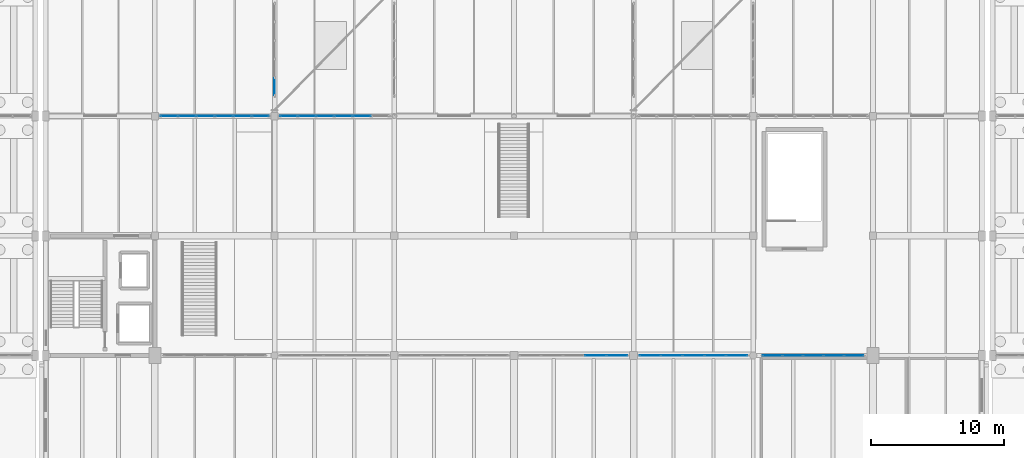
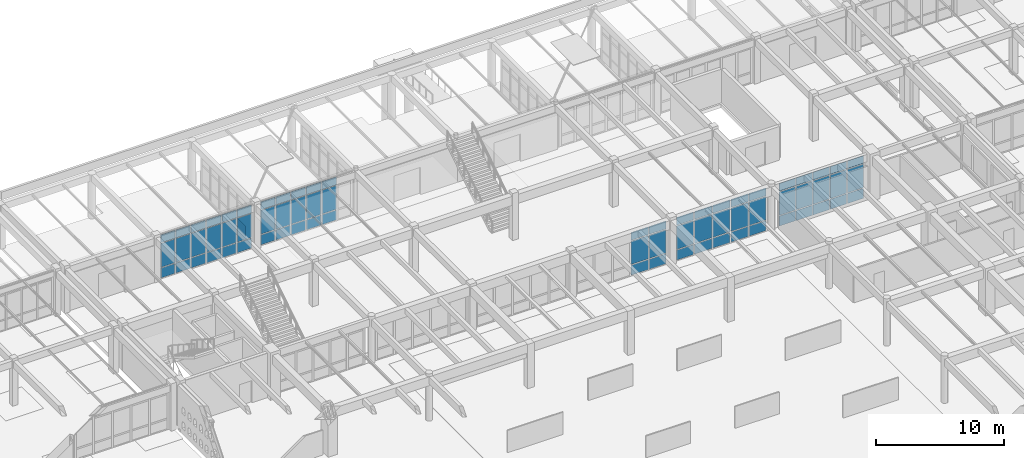
# One storey, part 148 of 186: 70 plates, 6 elements without a shape of their own.
"""IFC4 building model written with IfcOpenShell, lengths in metres."""

from ifc_helpers import new_model, si_unit, direction, frame, origin, origin_2d, place, context, subcontext, project, spatial, rectangle, extrude, material, layer, layer_set, type_object, element, aggregate, save


model = new_model("IFC4")

# Units and contexts
model_context = context("Model", 3, precision=1e-05, world=origin(), true_north=direction((0.0, 1.0)))
body_context = subcontext(model_context, "Body", "Model", "MODEL_VIEW")
ifc_project = project(units=[si_unit("LENGTHUNIT", "METRE"), si_unit("AREAUNIT", "SQUARE_METRE"), si_unit("VOLUMEUNIT", "CUBIC_METRE"), si_unit("PLANEANGLEUNIT", "RADIAN"), si_unit("MASSUNIT", "GRAM", prefix="KILO")], contexts=[model_context])

# Site, building, storey
site_placement = place(None, origin())
site = spatial("IfcSite", under=ifc_project, at=site_placement, CompositionType="ELEMENT")
building_placement = place(site_placement, origin())
building = spatial("IfcBuilding", under=site, at=building_placement, Name="Ornek Quay Market", CompositionType="ELEMENT")
storey_placement = place(building_placement, origin())
storey = spatial("IfcBuildingStorey", under=building, at=storey_placement, Name="L00", CompositionType="ELEMENT", Elevation=0.0)

# Curtain wall, plates
ifc_material_1 = material(Name="Anodised bronze aluminium and triple low-e glass", Category="aluminium")
ifc_layer_1 = layer(ifc_material_1, 0.139892578125, Name="Anodised bronze aluminium and triple low-e glass", Category="aluminium")
ifc_layer_set_1 = layer_set([ifc_layer_1], Name="Anodised bronze aluminium and triple low-e glass")
curtain_wall_type_1 = type_object("IfcCurtainWallType", Name="CW-GALLERY-INT", PredefinedType="USERDEFINED", material=ifc_layer_set_1)
curtain_wall_1_placement = place(storey_placement, origin())
curtain_wall_1 = element("IfcCurtainWall", 1, at=curtain_wall_1_placement, inside=storey, type_object=curtain_wall_type_1, Name="Curtain wall CW-124", ObjectType="CURTAIN WALL", PredefinedType="USERDEFINED")
ifc_material_2 = material(Name="Toughened laminated acoustic glass", Category="glass")
ifc_layer_2 = layer(ifc_material_2, 0.01611328125, Name="Toughened laminated acoustic glass", Category="glass")
ifc_layer_set_2 = layer_set([ifc_layer_2], Name="Toughened laminated acoustic glass")
plate_type_1 = type_object("IfcPlateType", Name="PL-CW-INT-16", PredefinedType="CURTAIN_PANEL", material=ifc_layer_set_2)
plate_1_placement = place(storey_placement, frame((96.139892578125, 92.0, 0.06494140625), z_axis=(0.0, 0.0, 1.0), x_axis=(1.0, 0.0, 0.0)))
plate_1 = element("IfcPlate", 2, at=plate_1_placement, type_object=plate_type_1, Name="CW-124 panel 4.1", PredefinedType="CURTAIN_PANEL", context=body_context, shape_type="SweptSolid", body=[
    extrude(rectangle(XDim=1.574951171875, YDim=0.01611328125, at=origin_2d()), origin(), (0.0, 0.0, 1.0), 0.952392578125),
])
plate_2_placement = place(storey_placement, frame((96.139892578125, 92.0, 1.08251953125), z_axis=(0.0, 0.0, 1.0), x_axis=(1.0, 0.0, 0.0)))
plate_2 = element("IfcPlate", 3, at=plate_2_placement, type_object=plate_type_1, Name="CW-124 panel 4.2", PredefinedType="CURTAIN_PANEL", context=body_context, shape_type="SweptSolid", body=[
    extrude(rectangle(XDim=1.574951171875, YDim=0.01611328125, at=origin_2d()), origin(), (0.0, 0.0, 1.0), 2.235107421875),
])
plate_3_placement = place(storey_placement, frame((96.139892578125, 92.0, 3.382568359375), z_axis=(0.0, 0.0, 1.0), x_axis=(1.0, 0.0, 0.0)))
plate_3 = element("IfcPlate", 4, at=plate_3_placement, type_object=plate_type_1, Name="CW-124 panel 4.3", PredefinedType="CURTAIN_PANEL", context=body_context, shape_type="SweptSolid", body=[
    extrude(rectangle(XDim=1.574951171875, YDim=0.01611328125, at=origin_2d()), origin(), (0.0, 0.0, 1.0), 0.75244140625),
])
plate_4_placement = place(storey_placement, frame((97.763671875, 92.0, 0.06494140625), z_axis=(0.0, 0.0, 1.0), x_axis=(1.0, 0.0, 0.0)))
plate_4 = element("IfcPlate", 5, at=plate_4_placement, type_object=plate_type_1, Name="CW-124 panel 5.1", PredefinedType="CURTAIN_PANEL", context=body_context, shape_type="SweptSolid", body=[
    extrude(rectangle(XDim=1.54248046875, YDim=0.01611328125, at=origin_2d()), origin(), (0.0, 0.0, 1.0), 0.952392578125),
])
plate_5_placement = place(storey_placement, frame((97.763671875, 92.0, 1.08251953125), z_axis=(0.0, 0.0, 1.0), x_axis=(1.0, 0.0, 0.0)))
plate_5 = element("IfcPlate", 6, at=plate_5_placement, type_object=plate_type_1, Name="CW-124 panel 5.2", PredefinedType="CURTAIN_PANEL", context=body_context, shape_type="SweptSolid", body=[
    extrude(rectangle(XDim=1.54248046875, YDim=0.01611328125, at=origin_2d()), origin(), (0.0, 0.0, 1.0), 2.235107421875),
])
plate_6_placement = place(storey_placement, frame((97.763671875, 92.0, 3.382568359375), z_axis=(0.0, 0.0, 1.0), x_axis=(1.0, 0.0, 0.0)))
plate_6 = element("IfcPlate", 7, at=plate_6_placement, type_object=plate_type_1, Name="CW-124 panel 5.3", PredefinedType="CURTAIN_PANEL", context=body_context, shape_type="SweptSolid", body=[
    extrude(rectangle(XDim=1.54248046875, YDim=0.01611328125, at=origin_2d()), origin(), (0.0, 0.0, 1.0), 0.75244140625),
])
aggregate(curtain_wall_1, [plate_1, plate_2, plate_3, plate_4, plate_5, plate_6])

curtain_wall_2_placement = place(storey_placement, origin())
curtain_wall_2 = element("IfcCurtainWall", 8, at=curtain_wall_2_placement, inside=storey, type_object=curtain_wall_type_1, Name="Curtain wall CW-125", ObjectType="CURTAIN WALL", PredefinedType="USERDEFINED")
plate_7_placement = place(storey_placement, frame((100.236328125, 92.0, 0.06494140625), z_axis=(0.0, 0.0, 1.0), x_axis=(1.0, 0.0, 0.0)))
plate_7 = element("IfcPlate", 9, at=plate_7_placement, type_object=plate_type_1, Name="CW-125 panel 1.1", PredefinedType="CURTAIN_PANEL", context=body_context, shape_type="SweptSolid", body=[
    extrude(rectangle(XDim=1.54248046875, YDim=0.01611328125, at=origin_2d()), origin(), (0.0, 0.0, 1.0), 0.952392578125),
])
plate_8_placement = place(storey_placement, frame((100.236328125, 92.0, 1.08251953125), z_axis=(0.0, 0.0, 1.0), x_axis=(1.0, 0.0, 0.0)))
plate_8 = element("IfcPlate", 10, at=plate_8_placement, type_object=plate_type_1, Name="CW-125 panel 1.2", PredefinedType="CURTAIN_PANEL", context=body_context, shape_type="SweptSolid", body=[
    extrude(rectangle(XDim=1.54248046875, YDim=0.01611328125, at=origin_2d()), origin(), (0.0, 0.0, 1.0), 2.235107421875),
])
plate_9_placement = place(storey_placement, frame((100.236328125, 92.0, 3.382568359375), z_axis=(0.0, 0.0, 1.0), x_axis=(1.0, 0.0, 0.0)))
plate_9 = element("IfcPlate", 11, at=plate_9_placement, type_object=plate_type_1, Name="CW-125 panel 1.3", PredefinedType="CURTAIN_PANEL", context=body_context, shape_type="SweptSolid", body=[
    extrude(rectangle(XDim=1.54248046875, YDim=0.01611328125, at=origin_2d()), origin(), (0.0, 0.0, 1.0), 0.75244140625),
])
plate_10_placement = place(storey_placement, frame((101.860107421875, 92.0, 0.06494140625), z_axis=(0.0, 0.0, 1.0), x_axis=(1.0, 0.0, 0.0)))
plate_10 = element("IfcPlate", 12, at=plate_10_placement, type_object=plate_type_1, Name="CW-125 panel 2.1", PredefinedType="CURTAIN_PANEL", context=body_context, shape_type="SweptSolid", body=[
    extrude(rectangle(XDim=1.574951171875, YDim=0.01611328125, at=origin_2d()), origin(), (0.0, 0.0, 1.0), 0.952392578125),
])
plate_11_placement = place(storey_placement, frame((101.860107421875, 92.0, 1.08251953125), z_axis=(0.0, 0.0, 1.0), x_axis=(1.0, 0.0, 0.0)))
plate_11 = element("IfcPlate", 13, at=plate_11_placement, type_object=plate_type_1, Name="CW-125 panel 2.2", PredefinedType="CURTAIN_PANEL", context=body_context, shape_type="SweptSolid", body=[
    extrude(rectangle(XDim=1.574951171875, YDim=0.01611328125, at=origin_2d()), origin(), (0.0, 0.0, 1.0), 2.235107421875),
])
plate_12_placement = place(storey_placement, frame((101.860107421875, 92.0, 3.382568359375), z_axis=(0.0, 0.0, 1.0), x_axis=(1.0, 0.0, 0.0)))
plate_12 = element("IfcPlate", 14, at=plate_12_placement, type_object=plate_type_1, Name="CW-125 panel 2.3", PredefinedType="CURTAIN_PANEL", context=body_context, shape_type="SweptSolid", body=[
    extrude(rectangle(XDim=1.574951171875, YDim=0.01611328125, at=origin_2d()), origin(), (0.0, 0.0, 1.0), 0.75244140625),
])
plate_13_placement = place(storey_placement, frame((103.5, 92.0, 0.06494140625), z_axis=(0.0, 0.0, 1.0), x_axis=(1.0, 0.0, 0.0)))
plate_13 = element("IfcPlate", 15, at=plate_13_placement, type_object=plate_type_1, Name="CW-125 panel 3.1", PredefinedType="CURTAIN_PANEL", context=body_context, shape_type="SweptSolid", body=[
    extrude(rectangle(XDim=1.574951171875, YDim=0.01611328125, at=origin_2d()), origin(), (0.0, 0.0, 1.0), 0.952392578125),
])
plate_14_placement = place(storey_placement, frame((103.5, 92.0, 1.08251953125), z_axis=(0.0, 0.0, 1.0), x_axis=(1.0, 0.0, 0.0)))
plate_14 = element("IfcPlate", 16, at=plate_14_placement, type_object=plate_type_1, Name="CW-125 panel 3.2", PredefinedType="CURTAIN_PANEL", context=body_context, shape_type="SweptSolid", body=[
    extrude(rectangle(XDim=1.574951171875, YDim=0.01611328125, at=origin_2d()), origin(), (0.0, 0.0, 1.0), 2.235107421875),
])
plate_15_placement = place(storey_placement, frame((103.5, 92.0, 3.382568359375), z_axis=(0.0, 0.0, 1.0), x_axis=(1.0, 0.0, 0.0)))
plate_15 = element("IfcPlate", 17, at=plate_15_placement, type_object=plate_type_1, Name="CW-125 panel 3.3", PredefinedType="CURTAIN_PANEL", context=body_context, shape_type="SweptSolid", body=[
    extrude(rectangle(XDim=1.574951171875, YDim=0.01611328125, at=origin_2d()), origin(), (0.0, 0.0, 1.0), 0.75244140625),
])
plate_16_placement = place(storey_placement, frame((105.139892578125, 92.0, 0.06494140625), z_axis=(0.0, 0.0, 1.0), x_axis=(1.0, 0.0, 0.0)))
plate_16 = element("IfcPlate", 18, at=plate_16_placement, type_object=plate_type_1, Name="CW-125 panel 4.1", PredefinedType="CURTAIN_PANEL", context=body_context, shape_type="SweptSolid", body=[
    extrude(rectangle(XDim=1.574951171875, YDim=0.01611328125, at=origin_2d()), origin(), (0.0, 0.0, 1.0), 0.952392578125),
])
plate_17_placement = place(storey_placement, frame((105.139892578125, 92.0, 1.08251953125), z_axis=(0.0, 0.0, 1.0), x_axis=(1.0, 0.0, 0.0)))
plate_17 = element("IfcPlate", 19, at=plate_17_placement, type_object=plate_type_1, Name="CW-125 panel 4.2", PredefinedType="CURTAIN_PANEL", context=body_context, shape_type="SweptSolid", body=[
    extrude(rectangle(XDim=1.574951171875, YDim=0.01611328125, at=origin_2d()), origin(), (0.0, 0.0, 1.0), 2.235107421875),
])
plate_18_placement = place(storey_placement, frame((105.139892578125, 92.0, 3.382568359375), z_axis=(0.0, 0.0, 1.0), x_axis=(1.0, 0.0, 0.0)))
plate_18 = element("IfcPlate", 20, at=plate_18_placement, type_object=plate_type_1, Name="CW-125 panel 4.3", PredefinedType="CURTAIN_PANEL", context=body_context, shape_type="SweptSolid", body=[
    extrude(rectangle(XDim=1.574951171875, YDim=0.01611328125, at=origin_2d()), origin(), (0.0, 0.0, 1.0), 0.75244140625),
])
plate_19_placement = place(storey_placement, frame((106.763671875, 92.0, 0.06494140625), z_axis=(0.0, 0.0, 1.0), x_axis=(1.0, 0.0, 0.0)))
plate_19 = element("IfcPlate", 21, at=plate_19_placement, type_object=plate_type_1, Name="CW-125 panel 5.1", PredefinedType="CURTAIN_PANEL", context=body_context, shape_type="SweptSolid", body=[
    extrude(rectangle(XDim=1.54248046875, YDim=0.01611328125, at=origin_2d()), origin(), (0.0, 0.0, 1.0), 0.952392578125),
])
plate_20_placement = place(storey_placement, frame((106.763671875, 92.0, 1.08251953125), z_axis=(0.0, 0.0, 1.0), x_axis=(1.0, 0.0, 0.0)))
plate_20 = element("IfcPlate", 22, at=plate_20_placement, type_object=plate_type_1, Name="CW-125 panel 5.2", PredefinedType="CURTAIN_PANEL", context=body_context, shape_type="SweptSolid", body=[
    extrude(rectangle(XDim=1.54248046875, YDim=0.01611328125, at=origin_2d()), origin(), (0.0, 0.0, 1.0), 2.235107421875),
])
plate_21_placement = place(storey_placement, frame((106.763671875, 92.0, 3.382568359375), z_axis=(0.0, 0.0, 1.0), x_axis=(1.0, 0.0, 0.0)))
plate_21 = element("IfcPlate", 23, at=plate_21_placement, type_object=plate_type_1, Name="CW-125 panel 5.3", PredefinedType="CURTAIN_PANEL", context=body_context, shape_type="SweptSolid", body=[
    extrude(rectangle(XDim=1.54248046875, YDim=0.01611328125, at=origin_2d()), origin(), (0.0, 0.0, 1.0), 0.75244140625),
])
aggregate(curtain_wall_2, [plate_7, plate_8, plate_9, plate_10, plate_11, plate_12, plate_13, plate_14, plate_15, plate_16, plate_17, plate_18, plate_19, plate_20, plate_21])

curtain_wall_3_placement = place(storey_placement, origin())
curtain_wall_3 = element("IfcCurtainWall", 24, at=curtain_wall_3_placement, inside=storey, type_object=curtain_wall_type_1, Name="Curtain wall CW-126", ObjectType="CURTAIN WALL", PredefinedType="USERDEFINED")
plate_22_placement = place(storey_placement, frame((109.436279296875, 92.0, 0.06494140625), z_axis=(0.0, 0.0, 1.0), x_axis=(1.0, 0.0, 0.0)))
plate_22 = element("IfcPlate", 25, at=plate_22_placement, type_object=plate_type_1, Name="CW-126 panel 1.1", PredefinedType="CURTAIN_PANEL", context=body_context, shape_type="SweptSolid", body=[
    extrude(rectangle(XDim=1.4423828125, YDim=0.01611328125, at=origin_2d()), origin(), (0.0, 0.0, 1.0), 0.952392578125),
])
plate_23_placement = place(storey_placement, frame((109.436279296875, 92.0, 1.08251953125), z_axis=(0.0, 0.0, 1.0), x_axis=(1.0, 0.0, 0.0)))
plate_23 = element("IfcPlate", 26, at=plate_23_placement, type_object=plate_type_1, Name="CW-126 panel 1.2", PredefinedType="CURTAIN_PANEL", context=body_context, shape_type="SweptSolid", body=[
    extrude(rectangle(XDim=1.4423828125, YDim=0.01611328125, at=origin_2d()), origin(), (0.0, 0.0, 1.0), 2.235107421875),
])
plate_24_placement = place(storey_placement, frame((109.436279296875, 92.0, 3.382568359375), z_axis=(0.0, 0.0, 1.0), x_axis=(1.0, 0.0, 0.0)))
plate_24 = element("IfcPlate", 27, at=plate_24_placement, type_object=plate_type_1, Name="CW-126 panel 1.3", PredefinedType="CURTAIN_PANEL", context=body_context, shape_type="SweptSolid", body=[
    extrude(rectangle(XDim=1.4423828125, YDim=0.01611328125, at=origin_2d()), origin(), (0.0, 0.0, 1.0), 0.75244140625),
])
plate_25_placement = place(storey_placement, frame((110.9599609375, 92.0, 0.06494140625), z_axis=(0.0, 0.0, 1.0), x_axis=(1.0, 0.0, 0.0)))
plate_25 = element("IfcPlate", 28, at=plate_25_placement, type_object=plate_type_1, Name="CW-126 panel 2.1", PredefinedType="CURTAIN_PANEL", context=body_context, shape_type="SweptSolid", body=[
    extrude(rectangle(XDim=1.47509765625, YDim=0.01611328125, at=origin_2d()), origin(), (0.0, 0.0, 1.0), 0.952392578125),
])
plate_26_placement = place(storey_placement, frame((110.9599609375, 92.0, 1.08251953125), z_axis=(0.0, 0.0, 1.0), x_axis=(1.0, 0.0, 0.0)))
plate_26 = element("IfcPlate", 29, at=plate_26_placement, type_object=plate_type_1, Name="CW-126 panel 2.2", PredefinedType="CURTAIN_PANEL", context=body_context, shape_type="SweptSolid", body=[
    extrude(rectangle(XDim=1.47509765625, YDim=0.01611328125, at=origin_2d()), origin(), (0.0, 0.0, 1.0), 2.235107421875),
])
plate_27_placement = place(storey_placement, frame((110.9599609375, 92.0, 3.382568359375), z_axis=(0.0, 0.0, 1.0), x_axis=(1.0, 0.0, 0.0)))
plate_27 = element("IfcPlate", 30, at=plate_27_placement, type_object=plate_type_1, Name="CW-126 panel 2.3", PredefinedType="CURTAIN_PANEL", context=body_context, shape_type="SweptSolid", body=[
    extrude(rectangle(XDim=1.47509765625, YDim=0.01611328125, at=origin_2d()), origin(), (0.0, 0.0, 1.0), 0.75244140625),
])
plate_28_placement = place(storey_placement, frame((112.5, 92.0, 0.06494140625), z_axis=(0.0, 0.0, 1.0), x_axis=(1.0, 0.0, 0.0)))
plate_28 = element("IfcPlate", 31, at=plate_28_placement, type_object=plate_type_1, Name="CW-126 panel 3.1", PredefinedType="CURTAIN_PANEL", context=body_context, shape_type="SweptSolid", body=[
    extrude(rectangle(XDim=1.47509765625, YDim=0.01611328125, at=origin_2d()), origin(), (0.0, 0.0, 1.0), 0.952392578125),
])
plate_29_placement = place(storey_placement, frame((112.5, 92.0, 1.08251953125), z_axis=(0.0, 0.0, 1.0), x_axis=(1.0, 0.0, 0.0)))
plate_29 = element("IfcPlate", 32, at=plate_29_placement, type_object=plate_type_1, Name="CW-126 panel 3.2", PredefinedType="CURTAIN_PANEL", context=body_context, shape_type="SweptSolid", body=[
    extrude(rectangle(XDim=1.47509765625, YDim=0.01611328125, at=origin_2d()), origin(), (0.0, 0.0, 1.0), 2.235107421875),
])
plate_30_placement = place(storey_placement, frame((112.5, 92.0, 3.382568359375), z_axis=(0.0, 0.0, 1.0), x_axis=(1.0, 0.0, 0.0)))
plate_30 = element("IfcPlate", 33, at=plate_30_placement, type_object=plate_type_1, Name="CW-126 panel 3.3", PredefinedType="CURTAIN_PANEL", context=body_context, shape_type="SweptSolid", body=[
    extrude(rectangle(XDim=1.47509765625, YDim=0.01611328125, at=origin_2d()), origin(), (0.0, 0.0, 1.0), 0.75244140625),
])
plate_31_placement = place(storey_placement, frame((114.0400390625, 92.0, 0.06494140625), z_axis=(0.0, 0.0, 1.0), x_axis=(1.0, 0.0, 0.0)))
plate_31 = element("IfcPlate", 34, at=plate_31_placement, type_object=plate_type_1, Name="CW-126 panel 4.1", PredefinedType="CURTAIN_PANEL", context=body_context, shape_type="SweptSolid", body=[
    extrude(rectangle(XDim=1.47509765625, YDim=0.01611328125, at=origin_2d()), origin(), (0.0, 0.0, 1.0), 0.952392578125),
])
plate_32_placement = place(storey_placement, frame((114.0400390625, 92.0, 1.08251953125), z_axis=(0.0, 0.0, 1.0), x_axis=(1.0, 0.0, 0.0)))
plate_32 = element("IfcPlate", 35, at=plate_32_placement, type_object=plate_type_1, Name="CW-126 panel 4.2", PredefinedType="CURTAIN_PANEL", context=body_context, shape_type="SweptSolid", body=[
    extrude(rectangle(XDim=1.47509765625, YDim=0.01611328125, at=origin_2d()), origin(), (0.0, 0.0, 1.0), 2.235107421875),
])
plate_33_placement = place(storey_placement, frame((114.0400390625, 92.0, 3.382568359375), z_axis=(0.0, 0.0, 1.0), x_axis=(1.0, 0.0, 0.0)))
plate_33 = element("IfcPlate", 36, at=plate_33_placement, type_object=plate_type_1, Name="CW-126 panel 4.3", PredefinedType="CURTAIN_PANEL", context=body_context, shape_type="SweptSolid", body=[
    extrude(rectangle(XDim=1.47509765625, YDim=0.01611328125, at=origin_2d()), origin(), (0.0, 0.0, 1.0), 0.75244140625),
])
plate_34_placement = place(storey_placement, frame((115.563720703125, 92.0, 0.06494140625), z_axis=(0.0, 0.0, 1.0), x_axis=(1.0, 0.0, 0.0)))
plate_34 = element("IfcPlate", 37, at=plate_34_placement, type_object=plate_type_1, Name="CW-126 panel 5.1", PredefinedType="CURTAIN_PANEL", context=body_context, shape_type="SweptSolid", body=[
    extrude(rectangle(XDim=1.4423828125, YDim=0.01611328125, at=origin_2d()), origin(), (0.0, 0.0, 1.0), 0.952392578125),
])
plate_35_placement = place(storey_placement, frame((115.563720703125, 92.0, 1.08251953125), z_axis=(0.0, 0.0, 1.0), x_axis=(1.0, 0.0, 0.0)))
plate_35 = element("IfcPlate", 38, at=plate_35_placement, type_object=plate_type_1, Name="CW-126 panel 5.2", PredefinedType="CURTAIN_PANEL", context=body_context, shape_type="SweptSolid", body=[
    extrude(rectangle(XDim=1.4423828125, YDim=0.01611328125, at=origin_2d()), origin(), (0.0, 0.0, 1.0), 2.235107421875),
])
plate_36_placement = place(storey_placement, frame((115.563720703125, 92.0, 3.382568359375), z_axis=(0.0, 0.0, 1.0), x_axis=(1.0, 0.0, 0.0)))
plate_36 = element("IfcPlate", 39, at=plate_36_placement, type_object=plate_type_1, Name="CW-126 panel 5.3", PredefinedType="CURTAIN_PANEL", context=body_context, shape_type="SweptSolid", body=[
    extrude(rectangle(XDim=1.4423828125, YDim=0.01611328125, at=origin_2d()), origin(), (0.0, 0.0, 1.0), 0.75244140625),
])
aggregate(curtain_wall_3, [plate_22, plate_23, plate_24, plate_25, plate_26, plate_27, plate_28, plate_29, plate_30, plate_31, plate_32, plate_33, plate_34, plate_35, plate_36])

# Curtain wall, plate
ifc_layer_3 = layer(ifc_material_1, 0.219970703125, Name="Anodised bronze aluminium and triple low-e glass", Category="aluminium")
ifc_layer_set_3 = layer_set([ifc_layer_3], Name="Anodised bronze aluminium and triple low-e glass")
curtain_wall_type_2 = type_object("IfcCurtainWallType", Name="CW-PORCH-MOD1500", PredefinedType="USERDEFINED", material=ifc_layer_set_3)
curtain_wall_4_placement = place(storey_placement, origin())
curtain_wall_4 = element("IfcCurtainWall", 40, at=curtain_wall_4_placement, inside=storey, type_object=curtain_wall_type_2, Name="Curtain wall CW-151", ObjectType="CURTAIN WALL", PredefinedType="USERDEFINED")
ifc_material_3 = material(Name="Triple insulated low-e glass", Category="glass")
ifc_layer_4 = layer(ifc_material_3, 0.035888671875, Name="Triple insulated low-e glass", Category="glass")
ifc_layer_set_4 = layer_set([ifc_layer_4], Name="Triple insulated low-e glass")
plate_type_2 = type_object("IfcPlateType", Name="PL-CW-TRIPLE-36", PredefinedType="CURTAIN_PANEL", material=ifc_layer_set_4)
plate_37_placement = place(storey_placement, frame((72.0, 112.217529296875, 0.06982421875), z_axis=(0.0, 0.0, 1.0), x_axis=(0.0, 1.0, 0.0)))
plate_37 = element("IfcPlate", 41, at=plate_37_placement, type_object=plate_type_2, Name="CW-151 panel 1.1", PredefinedType="CURTAIN_PANEL", context=body_context, shape_type="SweptSolid", body=[
    extrude(rectangle(XDim=1.294921875, YDim=0.035888671875, at=origin_2d()), origin(), (0.0, 0.0, 1.0), 0.945068359375),
])
aggregate(curtain_wall_4, [plate_37])

# Curtain wall, plates
curtain_wall_5_placement = place(storey_placement, origin())
curtain_wall_5 = element("IfcCurtainWall", 42, at=curtain_wall_5_placement, inside=storey, type_object=curtain_wall_type_2, Name="Curtain wall CW-045", ObjectType="CURTAIN WALL", PredefinedType="USERDEFINED")
ifc_layer_5 = layer(ifc_material_3, 0.0419921875, Name="Triple insulated low-e glass", Category="glass")
ifc_layer_set_5 = layer_set([ifc_layer_5], Name="Triple insulated low-e glass")
plate_type_3 = type_object("IfcPlateType", Name="PL-CW-TRIPLE-42", PredefinedType="CURTAIN_PANEL", material=ifc_layer_set_5)
plate_38_placement = place(storey_placement, frame((64.060302734375, 110.0, 0.06982421875), z_axis=(0.0, 0.0, 1.0), x_axis=(1.0, 0.0, 0.0)))
plate_38 = element("IfcPlate", 43, at=plate_38_placement, type_object=plate_type_3, Name="CW-045 panel 1.1", PredefinedType="CURTAIN_PANEL", context=body_context, shape_type="SweptSolid", body=[
    extrude(rectangle(XDim=1.270751953125, YDim=0.0419921875, at=origin_2d()), origin(), (0.0, 0.0, 1.0), 0.945068359375),
])
plate_39_placement = place(storey_placement, frame((64.060302734375, 110.0, 1.0849609375), z_axis=(0.0, 0.0, 1.0), x_axis=(1.0, 0.0, 0.0)))
plate_39 = element("IfcPlate", 44, at=plate_39_placement, type_object=plate_type_3, Name="CW-045 panel 1.2", PredefinedType="CURTAIN_PANEL", context=body_context, shape_type="SweptSolid", body=[
    extrude(rectangle(XDim=1.270751953125, YDim=0.0419921875, at=origin_2d()), origin(), (0.0, 0.0, 1.0), 2.27001953125),
])
plate_40_placement = place(storey_placement, frame((64.060302734375, 110.0, 3.425048828125), z_axis=(0.0, 0.0, 1.0), x_axis=(1.0, 0.0, 0.0)))
plate_40 = element("IfcPlate", 45, at=plate_40_placement, type_object=plate_type_3, Name="CW-045 panel 1.3", PredefinedType="CURTAIN_PANEL", context=body_context, shape_type="SweptSolid", body=[
    extrude(rectangle(XDim=1.270751953125, YDim=0.0419921875, at=origin_2d()), origin(), (0.0, 0.0, 1.0), 0.7451171875),
])
plate_41_placement = place(storey_placement, frame((65.425048828125, 110.0, 0.06982421875), z_axis=(0.0, 0.0, 1.0), x_axis=(1.0, 0.0, 0.0)))
plate_41 = element("IfcPlate", 46, at=plate_41_placement, type_object=plate_type_3, Name="CW-045 panel 2.1", PredefinedType="CURTAIN_PANEL", context=body_context, shape_type="SweptSolid", body=[
    extrude(rectangle(XDim=1.308349609375, YDim=0.0419921875, at=origin_2d()), origin(), (0.0, 0.0, 1.0), 0.945068359375),
])
plate_42_placement = place(storey_placement, frame((65.425048828125, 110.0, 1.0849609375), z_axis=(0.0, 0.0, 1.0), x_axis=(1.0, 0.0, 0.0)))
plate_42 = element("IfcPlate", 47, at=plate_42_placement, type_object=plate_type_3, Name="CW-045 panel 2.2", PredefinedType="CURTAIN_PANEL", context=body_context, shape_type="SweptSolid", body=[
    extrude(rectangle(XDim=1.308349609375, YDim=0.0419921875, at=origin_2d()), origin(), (0.0, 0.0, 1.0), 2.27001953125),
])
plate_43_placement = place(storey_placement, frame((65.425048828125, 110.0, 3.425048828125), z_axis=(0.0, 0.0, 1.0), x_axis=(1.0, 0.0, 0.0)))
plate_43 = element("IfcPlate", 48, at=plate_43_placement, type_object=plate_type_3, Name="CW-045 panel 2.3", PredefinedType="CURTAIN_PANEL", context=body_context, shape_type="SweptSolid", body=[
    extrude(rectangle(XDim=1.308349609375, YDim=0.0419921875, at=origin_2d()), origin(), (0.0, 0.0, 1.0), 0.7451171875),
])
plate_44_placement = place(storey_placement, frame((66.808349609375, 110.0, 0.06982421875), z_axis=(0.0, 0.0, 1.0), x_axis=(1.0, 0.0, 0.0)))
plate_44 = element("IfcPlate", 49, at=plate_44_placement, type_object=plate_type_3, Name="CW-045 panel 3.1", PredefinedType="CURTAIN_PANEL", context=body_context, shape_type="SweptSolid", body=[
    extrude(rectangle(XDim=1.308349609375, YDim=0.0419921875, at=origin_2d()), origin(), (0.0, 0.0, 1.0), 0.945068359375),
])
plate_45_placement = place(storey_placement, frame((66.808349609375, 110.0, 1.0849609375), z_axis=(0.0, 0.0, 1.0), x_axis=(1.0, 0.0, 0.0)))
plate_45 = element("IfcPlate", 50, at=plate_45_placement, type_object=plate_type_3, Name="CW-045 panel 3.2", PredefinedType="CURTAIN_PANEL", context=body_context, shape_type="SweptSolid", body=[
    extrude(rectangle(XDim=1.308349609375, YDim=0.0419921875, at=origin_2d()), origin(), (0.0, 0.0, 1.0), 2.27001953125),
])
plate_46_placement = place(storey_placement, frame((66.808349609375, 110.0, 3.425048828125), z_axis=(0.0, 0.0, 1.0), x_axis=(1.0, 0.0, 0.0)))
plate_46 = element("IfcPlate", 51, at=plate_46_placement, type_object=plate_type_3, Name="CW-045 panel 3.3", PredefinedType="CURTAIN_PANEL", context=body_context, shape_type="SweptSolid", body=[
    extrude(rectangle(XDim=1.308349609375, YDim=0.0419921875, at=origin_2d()), origin(), (0.0, 0.0, 1.0), 0.7451171875),
])
plate_47_placement = place(storey_placement, frame((68.191650390625, 110.0, 0.06982421875), z_axis=(0.0, 0.0, 1.0), x_axis=(1.0, 0.0, 0.0)))
plate_47 = element("IfcPlate", 52, at=plate_47_placement, type_object=plate_type_3, Name="CW-045 panel 4.1", PredefinedType="CURTAIN_PANEL", context=body_context, shape_type="SweptSolid", body=[
    extrude(rectangle(XDim=1.308349609375, YDim=0.0419921875, at=origin_2d()), origin(), (0.0, 0.0, 1.0), 0.945068359375),
])
plate_48_placement = place(storey_placement, frame((68.191650390625, 110.0, 1.0849609375), z_axis=(0.0, 0.0, 1.0), x_axis=(1.0, 0.0, 0.0)))
plate_48 = element("IfcPlate", 53, at=plate_48_placement, type_object=plate_type_3, Name="CW-045 panel 4.2", PredefinedType="CURTAIN_PANEL", context=body_context, shape_type="SweptSolid", body=[
    extrude(rectangle(XDim=1.308349609375, YDim=0.0419921875, at=origin_2d()), origin(), (0.0, 0.0, 1.0), 2.27001953125),
])
plate_49_placement = place(storey_placement, frame((68.191650390625, 110.0, 3.425048828125), z_axis=(0.0, 0.0, 1.0), x_axis=(1.0, 0.0, 0.0)))
plate_49 = element("IfcPlate", 54, at=plate_49_placement, type_object=plate_type_3, Name="CW-045 panel 4.3", PredefinedType="CURTAIN_PANEL", context=body_context, shape_type="SweptSolid", body=[
    extrude(rectangle(XDim=1.308349609375, YDim=0.0419921875, at=origin_2d()), origin(), (0.0, 0.0, 1.0), 0.7451171875),
])
plate_50_placement = place(storey_placement, frame((69.574951171875, 110.0, 0.06982421875), z_axis=(0.0, 0.0, 1.0), x_axis=(1.0, 0.0, 0.0)))
plate_50 = element("IfcPlate", 55, at=plate_50_placement, type_object=plate_type_3, Name="CW-045 panel 5.1", PredefinedType="CURTAIN_PANEL", context=body_context, shape_type="SweptSolid", body=[
    extrude(rectangle(XDim=1.308349609375, YDim=0.0419921875, at=origin_2d()), origin(), (0.0, 0.0, 1.0), 0.945068359375),
])
plate_51_placement = place(storey_placement, frame((69.574951171875, 110.0, 1.0849609375), z_axis=(0.0, 0.0, 1.0), x_axis=(1.0, 0.0, 0.0)))
plate_51 = element("IfcPlate", 56, at=plate_51_placement, type_object=plate_type_3, Name="CW-045 panel 5.2", PredefinedType="CURTAIN_PANEL", context=body_context, shape_type="SweptSolid", body=[
    extrude(rectangle(XDim=1.308349609375, YDim=0.0419921875, at=origin_2d()), origin(), (0.0, 0.0, 1.0), 2.27001953125),
])
plate_52_placement = place(storey_placement, frame((69.574951171875, 110.0, 3.425048828125), z_axis=(0.0, 0.0, 1.0), x_axis=(1.0, 0.0, 0.0)))
plate_52 = element("IfcPlate", 57, at=plate_52_placement, type_object=plate_type_3, Name="CW-045 panel 5.3", PredefinedType="CURTAIN_PANEL", context=body_context, shape_type="SweptSolid", body=[
    extrude(rectangle(XDim=1.308349609375, YDim=0.0419921875, at=origin_2d()), origin(), (0.0, 0.0, 1.0), 0.7451171875),
])
plate_53_placement = place(storey_placement, frame((70.939697265625, 110.0, 0.06982421875), z_axis=(0.0, 0.0, 1.0), x_axis=(1.0, 0.0, 0.0)))
plate_53 = element("IfcPlate", 58, at=plate_53_placement, type_object=plate_type_3, Name="CW-045 panel 6.1", PredefinedType="CURTAIN_PANEL", context=body_context, shape_type="SweptSolid", body=[
    extrude(rectangle(XDim=1.270751953125, YDim=0.0419921875, at=origin_2d()), origin(), (0.0, 0.0, 1.0), 0.945068359375),
])
plate_54_placement = place(storey_placement, frame((70.939697265625, 110.0, 1.0849609375), z_axis=(0.0, 0.0, 1.0), x_axis=(1.0, 0.0, 0.0)))
plate_54 = element("IfcPlate", 59, at=plate_54_placement, type_object=plate_type_3, Name="CW-045 panel 6.2", PredefinedType="CURTAIN_PANEL", context=body_context, shape_type="SweptSolid", body=[
    extrude(rectangle(XDim=1.270751953125, YDim=0.0419921875, at=origin_2d()), origin(), (0.0, 0.0, 1.0), 2.27001953125),
])
plate_55_placement = place(storey_placement, frame((70.939697265625, 110.0, 3.425048828125), z_axis=(0.0, 0.0, 1.0), x_axis=(1.0, 0.0, 0.0)))
plate_55 = element("IfcPlate", 60, at=plate_55_placement, type_object=plate_type_3, Name="CW-045 panel 6.3", PredefinedType="CURTAIN_PANEL", context=body_context, shape_type="SweptSolid", body=[
    extrude(rectangle(XDim=1.270751953125, YDim=0.0419921875, at=origin_2d()), origin(), (0.0, 0.0, 1.0), 0.7451171875),
])
aggregate(curtain_wall_5, [plate_38, plate_39, plate_40, plate_41, plate_42, plate_43, plate_44, plate_45, plate_46, plate_47, plate_48, plate_49, plate_50, plate_51, plate_52, plate_53, plate_54, plate_55])

curtain_wall_6_placement = place(storey_placement, origin())
curtain_wall_6 = element("IfcCurtainWall", 61, at=curtain_wall_6_placement, inside=storey, type_object=curtain_wall_type_2, Name="Curtain wall CW-046", ObjectType="CURTAIN WALL", PredefinedType="USERDEFINED")
plate_56_placement = place(storey_placement, frame((73.060302734375, 110.0, 0.06982421875), z_axis=(0.0, 0.0, 1.0), x_axis=(1.0, 0.0, 0.0)))
plate_56 = element("IfcPlate", 62, at=plate_56_placement, type_object=plate_type_3, Name="CW-046 panel 1.1", PredefinedType="CURTAIN_PANEL", context=body_context, shape_type="SweptSolid", body=[
    extrude(rectangle(XDim=1.270751953125, YDim=0.0419921875, at=origin_2d()), origin(), (0.0, 0.0, 1.0), 0.945068359375),
])
plate_57_placement = place(storey_placement, frame((73.060302734375, 110.0, 1.0849609375), z_axis=(0.0, 0.0, 1.0), x_axis=(1.0, 0.0, 0.0)))
plate_57 = element("IfcPlate", 63, at=plate_57_placement, type_object=plate_type_3, Name="CW-046 panel 1.2", PredefinedType="CURTAIN_PANEL", context=body_context, shape_type="SweptSolid", body=[
    extrude(rectangle(XDim=1.270751953125, YDim=0.0419921875, at=origin_2d()), origin(), (0.0, 0.0, 1.0), 2.27001953125),
])
plate_58_placement = place(storey_placement, frame((73.060302734375, 110.0, 3.425048828125), z_axis=(0.0, 0.0, 1.0), x_axis=(1.0, 0.0, 0.0)))
plate_58 = element("IfcPlate", 64, at=plate_58_placement, type_object=plate_type_3, Name="CW-046 panel 1.3", PredefinedType="CURTAIN_PANEL", context=body_context, shape_type="SweptSolid", body=[
    extrude(rectangle(XDim=1.270751953125, YDim=0.0419921875, at=origin_2d()), origin(), (0.0, 0.0, 1.0), 0.7451171875),
])
plate_59_placement = place(storey_placement, frame((74.425048828125, 110.0, 0.06982421875), z_axis=(0.0, 0.0, 1.0), x_axis=(1.0, 0.0, 0.0)))
plate_59 = element("IfcPlate", 65, at=plate_59_placement, type_object=plate_type_3, Name="CW-046 panel 2.1", PredefinedType="CURTAIN_PANEL", context=body_context, shape_type="SweptSolid", body=[
    extrude(rectangle(XDim=1.308349609375, YDim=0.0419921875, at=origin_2d()), origin(), (0.0, 0.0, 1.0), 0.945068359375),
])
plate_60_placement = place(storey_placement, frame((74.425048828125, 110.0, 1.0849609375), z_axis=(0.0, 0.0, 1.0), x_axis=(1.0, 0.0, 0.0)))
plate_60 = element("IfcPlate", 66, at=plate_60_placement, type_object=plate_type_3, Name="CW-046 panel 2.2", PredefinedType="CURTAIN_PANEL", context=body_context, shape_type="SweptSolid", body=[
    extrude(rectangle(XDim=1.308349609375, YDim=0.0419921875, at=origin_2d()), origin(), (0.0, 0.0, 1.0), 2.27001953125),
])
plate_61_placement = place(storey_placement, frame((74.425048828125, 110.0, 3.425048828125), z_axis=(0.0, 0.0, 1.0), x_axis=(1.0, 0.0, 0.0)))
plate_61 = element("IfcPlate", 67, at=plate_61_placement, type_object=plate_type_3, Name="CW-046 panel 2.3", PredefinedType="CURTAIN_PANEL", context=body_context, shape_type="SweptSolid", body=[
    extrude(rectangle(XDim=1.308349609375, YDim=0.0419921875, at=origin_2d()), origin(), (0.0, 0.0, 1.0), 0.7451171875),
])
plate_62_placement = place(storey_placement, frame((75.808349609375, 110.0, 0.06982421875), z_axis=(0.0, 0.0, 1.0), x_axis=(1.0, 0.0, 0.0)))
plate_62 = element("IfcPlate", 68, at=plate_62_placement, type_object=plate_type_3, Name="CW-046 panel 3.1", PredefinedType="CURTAIN_PANEL", context=body_context, shape_type="SweptSolid", body=[
    extrude(rectangle(XDim=1.308349609375, YDim=0.0419921875, at=origin_2d()), origin(), (0.0, 0.0, 1.0), 0.945068359375),
])
plate_63_placement = place(storey_placement, frame((75.808349609375, 110.0, 1.0849609375), z_axis=(0.0, 0.0, 1.0), x_axis=(1.0, 0.0, 0.0)))
plate_63 = element("IfcPlate", 69, at=plate_63_placement, type_object=plate_type_3, Name="CW-046 panel 3.2", PredefinedType="CURTAIN_PANEL", context=body_context, shape_type="SweptSolid", body=[
    extrude(rectangle(XDim=1.308349609375, YDim=0.0419921875, at=origin_2d()), origin(), (0.0, 0.0, 1.0), 2.27001953125),
])
plate_64_placement = place(storey_placement, frame((75.808349609375, 110.0, 3.425048828125), z_axis=(0.0, 0.0, 1.0), x_axis=(1.0, 0.0, 0.0)))
plate_64 = element("IfcPlate", 70, at=plate_64_placement, type_object=plate_type_3, Name="CW-046 panel 3.3", PredefinedType="CURTAIN_PANEL", context=body_context, shape_type="SweptSolid", body=[
    extrude(rectangle(XDim=1.308349609375, YDim=0.0419921875, at=origin_2d()), origin(), (0.0, 0.0, 1.0), 0.7451171875),
])
plate_65_placement = place(storey_placement, frame((77.191650390625, 110.0, 0.06982421875), z_axis=(0.0, 0.0, 1.0), x_axis=(1.0, 0.0, 0.0)))
plate_65 = element("IfcPlate", 71, at=plate_65_placement, type_object=plate_type_3, Name="CW-046 panel 4.1", PredefinedType="CURTAIN_PANEL", context=body_context, shape_type="SweptSolid", body=[
    extrude(rectangle(XDim=1.308349609375, YDim=0.0419921875, at=origin_2d()), origin(), (0.0, 0.0, 1.0), 0.945068359375),
])
plate_66_placement = place(storey_placement, frame((77.191650390625, 110.0, 1.0849609375), z_axis=(0.0, 0.0, 1.0), x_axis=(1.0, 0.0, 0.0)))
plate_66 = element("IfcPlate", 72, at=plate_66_placement, type_object=plate_type_3, Name="CW-046 panel 4.2", PredefinedType="CURTAIN_PANEL", context=body_context, shape_type="SweptSolid", body=[
    extrude(rectangle(XDim=1.308349609375, YDim=0.0419921875, at=origin_2d()), origin(), (0.0, 0.0, 1.0), 2.27001953125),
])
plate_67_placement = place(storey_placement, frame((77.191650390625, 110.0, 3.425048828125), z_axis=(0.0, 0.0, 1.0), x_axis=(1.0, 0.0, 0.0)))
plate_67 = element("IfcPlate", 73, at=plate_67_placement, type_object=plate_type_3, Name="CW-046 panel 4.3", PredefinedType="CURTAIN_PANEL", context=body_context, shape_type="SweptSolid", body=[
    extrude(rectangle(XDim=1.308349609375, YDim=0.0419921875, at=origin_2d()), origin(), (0.0, 0.0, 1.0), 0.7451171875),
])
plate_68_placement = place(storey_placement, frame((78.574951171875, 110.0, 0.06982421875), z_axis=(0.0, 0.0, 1.0), x_axis=(1.0, 0.0, 0.0)))
plate_68 = element("IfcPlate", 74, at=plate_68_placement, type_object=plate_type_3, Name="CW-046 panel 5.1", PredefinedType="CURTAIN_PANEL", context=body_context, shape_type="SweptSolid", body=[
    extrude(rectangle(XDim=1.308349609375, YDim=0.0419921875, at=origin_2d()), origin(), (0.0, 0.0, 1.0), 0.945068359375),
])
plate_69_placement = place(storey_placement, frame((78.574951171875, 110.0, 1.0849609375), z_axis=(0.0, 0.0, 1.0), x_axis=(1.0, 0.0, 0.0)))
plate_69 = element("IfcPlate", 75, at=plate_69_placement, type_object=plate_type_3, Name="CW-046 panel 5.2", PredefinedType="CURTAIN_PANEL", context=body_context, shape_type="SweptSolid", body=[
    extrude(rectangle(XDim=1.308349609375, YDim=0.0419921875, at=origin_2d()), origin(), (0.0, 0.0, 1.0), 2.27001953125),
])
plate_70_placement = place(storey_placement, frame((78.574951171875, 110.0, 3.425048828125), z_axis=(0.0, 0.0, 1.0), x_axis=(1.0, 0.0, 0.0)))
plate_70 = element("IfcPlate", 76, at=plate_70_placement, type_object=plate_type_3, Name="CW-046 panel 5.3", PredefinedType="CURTAIN_PANEL", context=body_context, shape_type="SweptSolid", body=[
    extrude(rectangle(XDim=1.308349609375, YDim=0.0419921875, at=origin_2d()), origin(), (0.0, 0.0, 1.0), 0.7451171875),
])
aggregate(curtain_wall_6, [plate_56, plate_57, plate_58, plate_59, plate_60, plate_61, plate_62, plate_63, plate_64, plate_65, plate_66, plate_67, plate_68, plate_69, plate_70])

save(model, "model.ifc")
